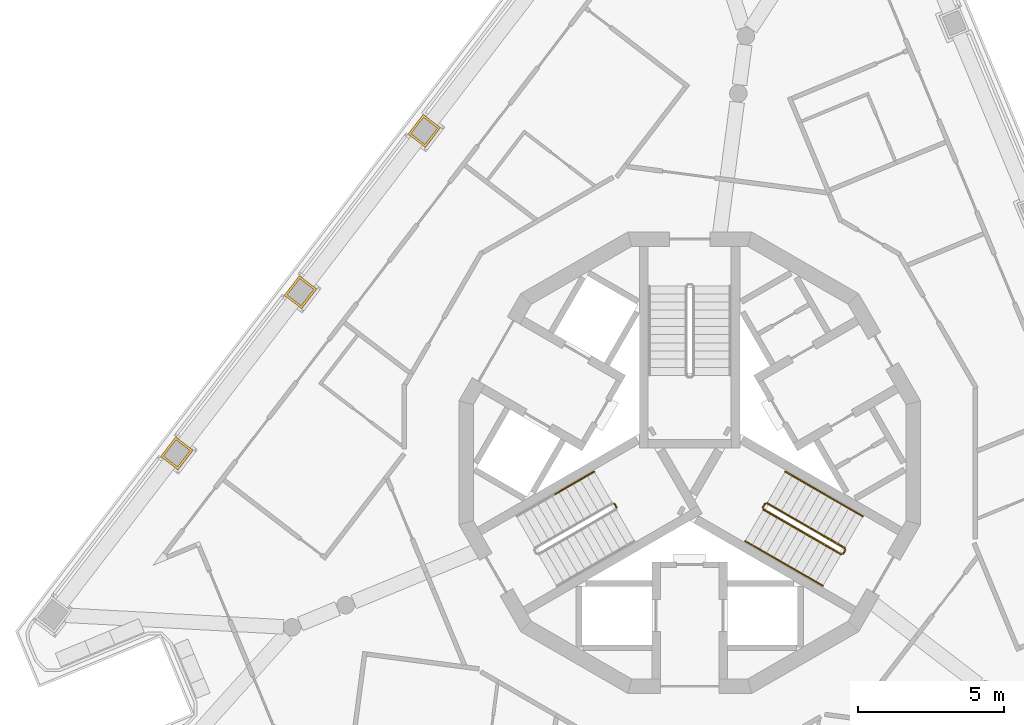
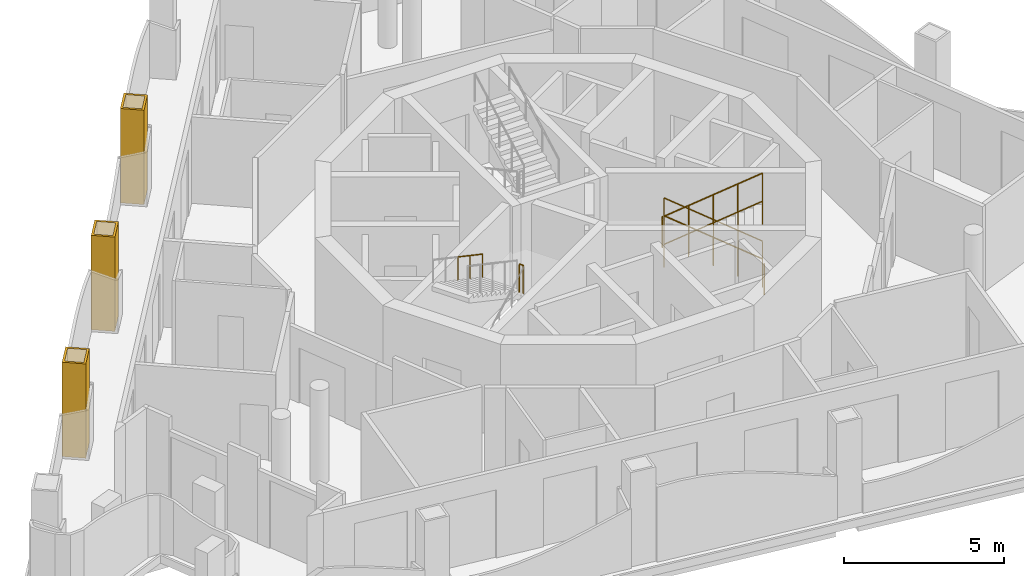
# One storey, part 8 of 12: 10 railings, 3 coverings.
"""IFC4 building model written with IfcOpenShell, lengths in metres."""

import ifcopenshell
import ifcopenshell.guid

model = None  # the IFC model being written
_history = None  # IfcOwnerHistory: only IFC2X3 demands one
_inside = {}  # id of a spatial element -> (the spatial element, [elements in it])
_under = {}  # id of a project, library or spatial element -> (it, [spatial elements below it])
_declared = {}  # id of a project -> (the project, [libraries it declares])
_typed = {}  # id of a type object -> (the type object, [elements of that type])
_made_of = {}  # id of a material, layer set ... -> (it, [elements and type objects made of it])


def new_model(schema):
    """Start an empty IFC model of exactly this schema.

    Asked for "IFC4X3", IfcOpenShell would pick the latest addendum, in which some entities
    have other attributes; the version numbers below select the first issue.
    IFC2X3 requires an IfcOwnerHistory on every rooted entity: one is made here for all.
    """
    global model, _history
    if schema == "IFC4X3":
        model = ifcopenshell.file(schema_version=(4, 3, 0, 0))
    else:
        model = ifcopenshell.file(schema=schema)
    _inside.clear()
    _under.clear()
    _declared.clear()
    _typed.clear()
    _made_of.clear()
    _history = None
    if model.schema == "IFC2X3":
        org = make("IfcOrganization", Name="unknown")
        user = make(
            "IfcPersonAndOrganization",
            ThePerson=make("IfcPerson", FamilyName="unknown"),
            TheOrganization=org,
        )
        app = make(
            "IfcApplication",
            ApplicationDeveloper=org,
            Version="unknown",
            ApplicationFullName="unknown",
            ApplicationIdentifier="unknown",
        )
        _history = make(
            "IfcOwnerHistory",
            OwningUser=user,
            OwningApplication=app,
            ChangeAction="ADDED",
            CreationDate=0,
        )
    return model


def make(cls, **values):
    """One entity of the class cls with the attributes given. An attribute that is None is left unset."""
    return model.create_entity(
        cls, **{name: value for name, value in values.items() if value is not None}
    )


def rooted(cls, **values):
    """An entity with a GlobalId (a new one), such as an element, a storey or a relation."""
    return make(cls, GlobalId=ifcopenshell.guid.new(), OwnerHistory=_history, **values)


def si_unit(unit_type, name, prefix=None):
    """IfcSIUnit, for example si_unit("LENGTHUNIT", "METRE", prefix="MILLI")."""
    return make("IfcSIUnit", UnitType=unit_type, Prefix=prefix, Name=name)


def assignment(units):
    """IfcUnitAssignment: the units of a project."""
    return None if units is None else make("IfcUnitAssignment", Units=units)


def point(xyz):
    """IfcCartesianPoint."""
    return None if xyz is None else make("IfcCartesianPoint", Coordinates=xyz)


def direction(xyz):
    """IfcDirection."""
    return None if xyz is None else make("IfcDirection", DirectionRatios=xyz)


def frame(location, z_axis=None, x_axis=None):
    """IfcAxis2Placement3D, a coordinate frame: its origin and axes. An axis left out is left unset."""
    return make(
        "IfcAxis2Placement3D",
        Location=point(location),
        Axis=direction(z_axis),
        RefDirection=direction(x_axis),
    )


def frame_2d(location, x_axis=None):
    """IfcAxis2Placement2D, a coordinate frame in the plane: its origin and x axis."""
    return make(
        "IfcAxis2Placement2D", Location=point(location), RefDirection=direction(x_axis)
    )


def origin():
    """The frame at (0, 0, 0) with its axes left unset."""
    return frame((0.0, 0.0, 0.0))


def origin_2d():
    """The frame at (0, 0) in the plane with its x axis left unset."""
    return frame_2d((0.0, 0.0))


def place(relative_to, where):
    """IfcLocalPlacement: puts the frame where relative to a parent placement (None: the world)."""
    return make(
        "IfcLocalPlacement", PlacementRelTo=relative_to, RelativePlacement=where
    )


def context(
    kind, dimensions, precision=None, world=None, true_north=None, identifier=None
):
    """IfcGeometricRepresentationContext, for example the 3D "Model" context."""
    return make(
        "IfcGeometricRepresentationContext",
        ContextIdentifier=identifier,
        ContextType=kind,
        CoordinateSpaceDimension=dimensions,
        Precision=precision,
        WorldCoordinateSystem=world,
        TrueNorth=true_north,
    )


def subcontext(parent, identifier, kind, view, scale=None):
    """IfcGeometricRepresentationSubContext, for example "Body" below "Model"."""
    return make(
        "IfcGeometricRepresentationSubContext",
        ContextIdentifier=identifier,
        ContextType=kind,
        ParentContext=parent,
        TargetScale=scale,
        TargetView=view,
    )


def project(units=None, contexts=None):
    """IfcProject with its units and contexts."""
    return rooted(
        "IfcProject",
        Name="project",
        RepresentationContexts=contexts,
        UnitsInContext=assignment(units),
    )


def spatial(cls, under=None, at=None, **own):
    """A site, building, storey or space (cls), placed at a placement, below another one or the project."""
    s = rooted(cls, ObjectPlacement=at, **own)
    if under is not None:
        _under.setdefault(under.id(), (under, []))[1].append(s)
    return s


def polyline(points):
    """IfcPolyline through the points."""
    return make("IfcPolyline", Points=[point(p) for p in points])


def profile(cls, at=None, kind="AREA", **sizes):
    """A parametric profile (cls). Its sizes go by their IFC names, for example OverallWidth=200.0."""
    return make(cls, ProfileType=kind, Position=at, **sizes)


def circle(**sizes):
    """IfcCircleProfileDef."""
    return profile("IfcCircleProfileDef", **sizes)


def outline(outer, holes=None, kind="AREA"):
    """IfcArbitraryClosedProfileDef: a profile drawn as a closed curve; with holes, ...WithVoids."""
    if holes is None:
        return make("IfcArbitraryClosedProfileDef", ProfileType=kind, OuterCurve=outer)
    return make(
        "IfcArbitraryProfileDefWithVoids",
        ProfileType=kind,
        OuterCurve=outer,
        InnerCurves=holes,
    )


def extrude(swept, where, along, depth):
    """IfcExtrudedAreaSolid: the profile swept, set in the frame where, extruded along a direction by depth."""
    return make(
        "IfcExtrudedAreaSolid",
        SweptArea=swept,
        Position=where,
        ExtrudedDirection=direction(along),
        Depth=depth,
    )


def shape(context_of_items, identifier, shape_type, items):
    """IfcShapeRepresentation: the items that make up one representation, for example the "Body"."""
    return make(
        "IfcShapeRepresentation",
        ContextOfItems=context_of_items,
        RepresentationIdentifier=identifier,
        RepresentationType=shape_type,
        Items=items,
    )


def material(Name=None, Category=None):
    """IfcMaterial."""
    return make("IfcMaterial", Name=Name, Category=Category)


def layer(
    of_material, thickness, ventilated=None, Name=None, Category=None, Priority=None
):
    """IfcMaterialLayer: one layer of a wall or slab, of a material (None: an air gap)."""
    return make(
        "IfcMaterialLayer",
        Material=of_material,
        LayerThickness=thickness,
        IsVentilated=ventilated,
        Name=Name,
        Category=Category,
        Priority=Priority,
    )


def layer_set(layers, Name=None):
    """IfcMaterialLayerSet."""
    return make("IfcMaterialLayerSet", MaterialLayers=layers, LayerSetName=Name)


def made_of(thing, what):
    """Note that an element or type object is made of a material, layer set ...; save() writes the relation."""
    if what is not None:
        _made_of.setdefault(what.id(), (what, []))[1].append(thing)
    return thing


def type_object(cls, material=None, **own):
    """A type object (cls), such as IfcWallType, which elements share."""
    return made_of(rooted(cls, **own), material)


def element(
    cls,
    number,
    at=None,
    inside=None,
    cuts=None,
    type_object=None,
    material=None,
    context=None,
    identifier="Body",
    shape_type=None,
    held_by="IfcProductDefinitionShape",
    body=None,
    shapes=None,
    **own,
):
    """One element of the class cls, such as IfcWall. Its Tag is "e" and its number.

    at: its placement. inside: the storey or other place that contains it. cuts: it is an
    opening in that element (IfcRelVoidsElement). A single representation is given by context,
    identifier, shape_type and body (its items); several are given by shapes. held_by: the class
    of the entity that holds the representations. save() writes the other relations.
    """
    e = rooted(cls, Tag="e%d" % number, ObjectPlacement=at, **own)
    if body is not None:
        shapes = [shape(context, identifier, shape_type, body)]
    if shapes is not None:
        e.Representation = make(held_by, Representations=shapes)
    if inside is not None:
        _inside.setdefault(inside.id(), (inside, []))[1].append(e)
    if cuts is not None:
        rooted(
            "IfcRelVoidsElement", RelatingBuildingElement=cuts, RelatedOpeningElement=e
        )
    if type_object is not None:
        _typed.setdefault(type_object.id(), (type_object, []))[1].append(e)
    return made_of(e, material)


def aggregate(whole, parts):
    """IfcRelAggregates: a whole, such as a stair, and the parts it consists of."""
    return rooted("IfcRelAggregates", RelatingObject=whole, RelatedObjects=parts)


def save(model, path):
    """Write the relations noted so far, then the file.

    IfcRelAggregates (storeys below a building ...), IfcRelContainedInSpatialStructure (elements
    in a storey), IfcRelDefinesByType, IfcRelAssociatesMaterial and IfcRelDeclares: one each for
    every whole, place, type object, material and project.
    """
    for whole, parts in _under.values():
        aggregate(whole, parts)
    for where, things in _inside.values():
        rooted(
            "IfcRelContainedInSpatialStructure",
            RelatedElements=things,
            RelatingStructure=where,
        )
    for kind, things in _typed.values():
        rooted("IfcRelDefinesByType", RelatedObjects=things, RelatingType=kind)
    for what, things in _made_of.values():
        rooted("IfcRelAssociatesMaterial", RelatedObjects=things, RelatingMaterial=what)
    for by, libraries in _declared.values():
        rooted("IfcRelDeclares", RelatingContext=by, RelatedDefinitions=libraries)
    model.write(path)


model = new_model("IFC4")

# Units and contexts
model_context = context("Model", 3, precision=1e-05, world=origin(), true_north=direction((0.0, 1.0)))
body_context = subcontext(model_context, "Body", "Model", "MODEL_VIEW")
ifc_project = project(units=[si_unit("LENGTHUNIT", "METRE"), si_unit("AREAUNIT", "SQUARE_METRE"), si_unit("VOLUMEUNIT", "CUBIC_METRE"), si_unit("PLANEANGLEUNIT", "RADIAN"), si_unit("MASSUNIT", "GRAM", prefix="KILO")], contexts=[model_context])

# Site, building, storey
site_placement = place(None, origin())
site = spatial("IfcSite", under=ifc_project, at=site_placement, CompositionType="ELEMENT")
building_placement = place(site_placement, origin())
building = spatial("IfcBuilding", under=site, at=building_placement, Name="Trine Commons Tower", CompositionType="ELEMENT")
storey_placement = place(building_placement, frame((0.0, 0.0, 293.39990234375)))
storey = spatial("IfcBuildingStorey", under=building, at=storey_placement, Name="L77", CompositionType="ELEMENT", Elevation=293.39990234375)

# Coverings
ifc_material_1 = material(Name="Limestone, honed", Category="masonry")
ifc_layer = layer(ifc_material_1, 0.074951171875)
ifc_layer_set = layer_set([ifc_layer], Name="Limestone, honed")
covering_type = type_object("IfcCoveringType", Name="Limestone column cladding 75", PredefinedType="CLADDING", material=ifc_layer_set)
covering_1_placement = place(storey_placement, origin())
element("IfcCovering", 1, at=covering_1_placement, inside=storey, type_object=covering_type, Name="Limestone pier cladding 8-08", PredefinedType="CLADDING", context=body_context, shape_type="SweptSolid", body=[
    extrude(outline(polyline([(62.95751953125, 62.929443359375), (62.362548828125, 63.385986328125), (61.84521484375, 62.711669921875), (62.440185546875, 62.2548828125), (62.95751953125, 62.929443359375)]), holes=[polyline([(62.8525390625, 62.91552734375), (62.37646484375, 63.28076171875), (61.9501953125, 62.7255859375), (62.42626953125, 62.360107421875), (62.8525390625, 62.91552734375)])]), origin(), (0.0, 0.0, 1.0), 3.60009765625),
])
covering_2_placement = place(storey_placement, origin())
element("IfcCovering", 2, at=covering_2_placement, inside=storey, type_object=covering_type, Name="Limestone pier cladding 8-09", PredefinedType="CLADDING", context=body_context, shape_type="SweptSolid", body=[
    extrude(outline(polyline([(67.202392578125, 68.461181640625), (66.607421875, 68.91796875), (66.08984375, 68.243408203125), (66.684814453125, 67.786865234375), (67.202392578125, 68.461181640625)]), holes=[polyline([(67.09716796875, 68.447509765625), (66.62109375, 68.812744140625), (66.195068359375, 68.25732421875), (66.6708984375, 67.89208984375), (67.09716796875, 68.447509765625)])]), origin(), (0.0, 0.0, 1.0), 3.60009765625),
])
covering_3_placement = place(storey_placement, origin())
element("IfcCovering", 3, at=covering_3_placement, inside=storey, type_object=covering_type, Name="Limestone pier cladding 8-10", PredefinedType="CLADDING", context=body_context, shape_type="SweptSolid", body=[
    extrude(outline(polyline([(71.447021484375, 73.9931640625), (70.85205078125, 74.44970703125), (70.334716796875, 73.775390625), (70.9296875, 73.318603515625), (71.447021484375, 73.9931640625)]), holes=[polyline([(71.341796875, 73.979248046875), (70.865966796875, 74.344482421875), (70.439697265625, 73.789306640625), (70.915771484375, 73.423828125), (71.341796875, 73.979248046875)])]), origin(), (0.0, 0.0, 1.0), 3.60009765625),
])

# Railings
ifc_material_2 = material(Name="Stainless steel balustrade", Category="steel")
railing_type_1 = type_object("IfcRailingType", Name="Stair guard, steel balustrade 1100", PredefinedType="GUARDRAIL", material=ifc_material_2)
railing_1_placement = place(storey_placement, frame((77.490966796875, 60.96484375, 1.800048828125)))
element("IfcRailing", 4, at=railing_1_placement, inside=storey, type_object=railing_type_1, Name="L77 ST2D stair guard 2", PredefinedType="GUARDRAIL", context=body_context, shape_type="SweptSolid", body=[
    extrude(circle(Radius=0.02392578125, at=origin_2d()), frame((0.0, 0.0, 1.076171875), z_axis=(-0.501036270542, 0.865426285481, 0.0), x_axis=(-0.865426285481, -0.501036270542, 0.0)), (0.0, 0.0, 1.0), 0.150146484375),
    extrude(circle(Radius=0.02099609375, at=origin_2d()), origin(), (0.0, 0.0, 1.0), 1.052001953125),
    extrude(circle(Radius=0.02099609375, at=origin_2d()), frame((-0.0751953125, 0.1298828125, 0.0)), (0.0, 0.0, 1.0), 1.052001953125),
])
railing_2_placement = place(storey_placement, frame((85.31982421875, 59.572998046875, 0.150146484375)))
element("IfcRailing", 5, at=railing_2_placement, inside=storey, type_object=railing_type_1, Name="L77 ST3D stair guard 1", PredefinedType="GUARDRAIL", context=body_context, shape_type="SweptSolid", body=[
    extrude(circle(Radius=0.02392578125, at=origin_2d()), frame((0.0, 0.0, 1.076171875), z_axis=(-0.76340495495, 0.440743040072, 0.472184759798), x_axis=(-0.499992328818, -0.866029832698, 0.0)), (0.0, 0.0, 1.0), 3.494140625),
    extrude(circle(Radius=0.02099609375, at=origin_2d()), origin(), (0.0, 0.0, 1.0), 1.052001953125),
    extrude(circle(Radius=0.02099609375, at=origin_2d()), frame((-0.6669921875, 0.385009765625, 0.41259765625)), (0.0, 0.0, 1.0), 1.052001953125),
    extrude(circle(Radius=0.02099609375, at=origin_2d()), frame((-1.333740234375, 0.77001953125, 0.824951171875)), (0.0, 0.0, 1.0), 1.052001953125),
    extrude(circle(Radius=0.02099609375, at=origin_2d()), frame((-2.00048828125, 1.155029296875, 1.2373046875)), (0.0, 0.0, 1.0), 1.052001953125),
    extrude(circle(Radius=0.02099609375, at=origin_2d()), frame((-2.66748046875, 1.5400390625, 1.64990234375)), (0.0, 0.0, 1.0), 1.052001953125),
])
railing_3_placement = place(storey_placement, frame((82.584228515625, 61.0947265625, 1.800048828125)))
element("IfcRailing", 6, at=railing_3_placement, inside=storey, type_object=railing_type_1, Name="L77 ST3D stair guard 2", PredefinedType="GUARDRAIL", context=body_context, shape_type="SweptSolid", body=[
    extrude(circle(Radius=0.02392578125, at=origin_2d()), frame((0.0, 0.0, 1.076171875), z_axis=(-0.501036270542, -0.865426285481, 0.0), x_axis=(0.865426285481, -0.501036270542, 0.0)), (0.0, 0.0, 1.0), 0.150146484375),
    extrude(circle(Radius=0.02099609375, at=origin_2d()), origin(), (0.0, 0.0, 1.0), 1.052001953125),
    extrude(circle(Radius=0.02099609375, at=origin_2d()), frame((-0.0751953125, -0.1298828125, 0.0)), (0.0, 0.0, 1.0), 1.052001953125),
])
railing_4_placement = place(storey_placement, frame((82.52734375, 60.896484375, 1.9501953125)))
element("IfcRailing", 7, at=railing_4_placement, inside=storey, type_object=railing_type_1, Name="L77 ST3D stair guard 3", PredefinedType="GUARDRAIL", context=body_context, shape_type="SweptSolid", body=[
    extrude(circle(Radius=0.02392578125, at=origin_2d()), frame((0.0, 0.0, 1.076171875), z_axis=(0.76340495495, -0.440743040072, 0.472184759798), x_axis=(0.499992328818, 0.866029832698, 0.0)), (0.0, 0.0, 1.0), 3.494140625),
    extrude(circle(Radius=0.02099609375, at=origin_2d()), origin(), (0.0, 0.0, 1.0), 1.052001953125),
    extrude(circle(Radius=0.02099609375, at=origin_2d()), frame((0.6669921875, -0.385009765625, 0.41259765625)), (0.0, 0.0, 1.0), 1.052001953125),
    extrude(circle(Radius=0.02099609375, at=origin_2d()), frame((1.333740234375, -0.77001953125, 0.824951171875)), (0.0, 0.0, 1.0), 1.052001953125),
    extrude(circle(Radius=0.02099609375, at=origin_2d()), frame((2.00048828125, -1.155029296875, 1.2373046875)), (0.0, 0.0, 1.0), 1.052001953125),
    extrude(circle(Radius=0.02099609375, at=origin_2d()), frame((2.66748046875, -1.5400390625, 1.64990234375)), (0.0, 0.0, 1.0), 1.052001953125),
])
railing_5_placement = place(storey_placement, frame((85.338134765625, 59.504638671875, 0.0)))
element("IfcRailing", 8, at=railing_5_placement, inside=storey, type_object=railing_type_1, Name="L77 ST3D stair guard 4", PredefinedType="GUARDRAIL", context=body_context, shape_type="SweptSolid", body=[
    extrude(circle(Radius=0.02392578125, at=origin_2d()), frame((0.0, 0.0, 1.076171875), z_axis=(-0.499816412211, -0.866131372301, 0.0), x_axis=(0.866131372301, -0.499816412211, 0.0)), (0.0, 0.0, 1.0), 0.14990234375),
    extrude(circle(Radius=0.02099609375, at=origin_2d()), origin(), (0.0, 0.0, 1.0), 1.052001953125),
    extrude(circle(Radius=0.02099609375, at=origin_2d()), frame((-0.074951171875, -0.1298828125, 0.0)), (0.0, 0.0, 1.0), 1.052001953125),
])
ifc_material_3 = material(Name="Stainless steel handrail", Category="steel")
railing_type_2 = type_object("IfcRailingType", Name="Stair handrail, steel 900", PredefinedType="HANDRAIL", material=ifc_material_3)
railing_6_placement = place(storey_placement, frame((76.72265625, 62.195556640625, 1.9501953125)))
element("IfcRailing", 9, at=railing_6_placement, inside=storey, type_object=railing_type_2, Name="L77 ST2D stair handrail 3", PredefinedType="HANDRAIL", context=body_context, shape_type="SweptSolid", body=[
    extrude(circle(Radius=0.02099609375, at=origin_2d()), frame((0.0, 0.0, 0.87890625), z_axis=(-0.76340495495, -0.440743040072, 0.472184759798), x_axis=(0.499992328818, -0.866029832698, 0.0)), (0.0, 0.0, 1.0), 1.7470703125),
    extrude(circle(Radius=0.01513671875, at=origin_2d()), origin(), (0.0, 0.0, 1.0), 0.85791015625),
    extrude(circle(Radius=0.01513671875, at=origin_2d()), frame((-0.6669921875, -0.385009765625, 0.41259765625)), (0.0, 0.0, 1.0), 0.85791015625),
    extrude(circle(Radius=0.01513671875, at=origin_2d()), frame((-1.333740234375, -0.77001953125, 0.824951171875)), (0.0, 0.0, 1.0), 0.85791015625),
])
for number, where, name in (
    (10, (85.94482421875, 60.655517578125, 0.150146484375), "L77 ST3D stair handrail 1"),
    (11, (84.611083984375, 61.425537109375, 0.97509765625), "L77 ST3D stair handrail 2"),
):
    element("IfcRailing", number, at=place(storey_placement, frame(where)), inside=storey, type_object=railing_type_2, Name=name, PredefinedType="HANDRAIL", context=body_context, shape_type="SweptSolid", body=[
        extrude(circle(Radius=0.02099609375, at=origin_2d()), frame((0.0, 0.0, 0.87890625), z_axis=(-0.76340495495, 0.440743040072, 0.472184759798), x_axis=(-0.499992328818, -0.866029832698, 0.0)), (0.0, 0.0, 1.0), 1.7470703125),
        extrude(circle(Radius=0.01513671875, at=origin_2d()), origin(), (0.0, 0.0, 1.0), 0.85791015625),
        extrude(circle(Radius=0.01513671875, at=origin_2d()), frame((-0.6669921875, 0.385009765625, 0.41259765625)), (0.0, 0.0, 1.0), 0.85791015625),
        extrude(circle(Radius=0.01513671875, at=origin_2d()), frame((-1.333740234375, 0.77001953125, 0.824951171875)), (0.0, 0.0, 1.0), 0.85791015625),
    ])
for number, where, name in (
    (12, (81.90234375, 59.81396484375, 1.9501953125), "L77 ST3D stair handrail 3"),
    (13, (83.236083984375, 59.0439453125, 2.775146484375), "L77 ST3D stair handrail 4"),
):
    element("IfcRailing", number, at=place(storey_placement, frame(where)), inside=storey, type_object=railing_type_2, Name=name, PredefinedType="HANDRAIL", context=body_context, shape_type="SweptSolid", body=[
        extrude(circle(Radius=0.02099609375, at=origin_2d()), frame((0.0, 0.0, 0.87890625), z_axis=(0.76340495495, -0.440743040072, 0.472184759798), x_axis=(0.499992328818, 0.866029832698, 0.0)), (0.0, 0.0, 1.0), 1.7470703125),
        extrude(circle(Radius=0.01513671875, at=origin_2d()), origin(), (0.0, 0.0, 1.0), 0.85791015625),
        extrude(circle(Radius=0.01513671875, at=origin_2d()), frame((0.6669921875, -0.385009765625, 0.41259765625)), (0.0, 0.0, 1.0), 0.85791015625),
        extrude(circle(Radius=0.01513671875, at=origin_2d()), frame((1.333740234375, -0.77001953125, 0.824951171875)), (0.0, 0.0, 1.0), 0.85791015625),
    ])

save(model, "model.ifc")
